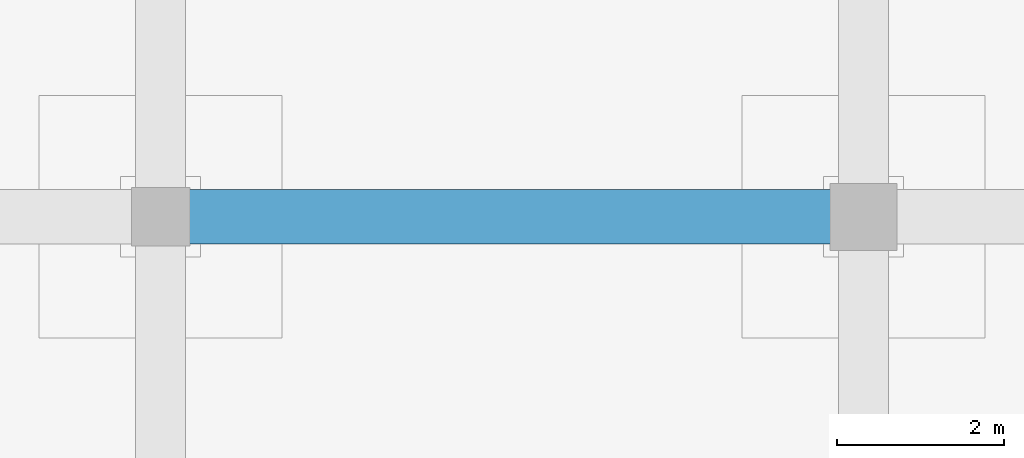
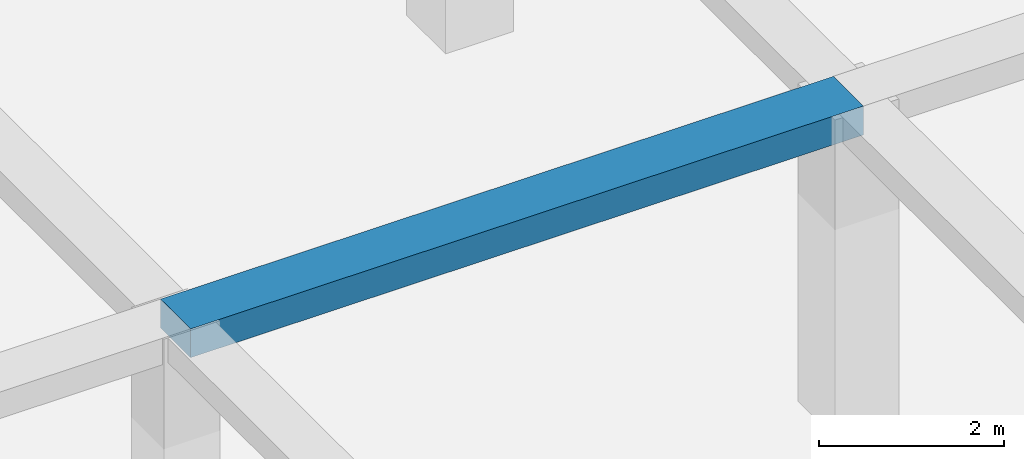
# One storey, part 36 of 85: 1 beam.
"""IFC4 building model written with IfcOpenShell, lengths in metres."""

from ifc_helpers import new_model, si_unit, direction, frame, origin, origin_2d, place, context, subcontext, project, spatial, rectangle, extrude, material, material_profile, profile_set, type_object, element, save


model = new_model("IFC4")

# Units and contexts
model_context = context("Model", 3, precision=1e-05, world=origin(), true_north=direction((0.0, 1.0)))
body_context = subcontext(model_context, "Body", "Model", "MODEL_VIEW")
ifc_project = project(units=[si_unit("LENGTHUNIT", "METRE"), si_unit("AREAUNIT", "SQUARE_METRE"), si_unit("VOLUMEUNIT", "CUBIC_METRE"), si_unit("PLANEANGLEUNIT", "RADIAN"), si_unit("MASSUNIT", "GRAM", prefix="KILO")], contexts=[model_context])

# Site, building, storey
site_placement = place(None, origin())
site = spatial("IfcSite", under=ifc_project, at=site_placement, CompositionType="ELEMENT")
building_placement = place(site_placement, origin())
building = spatial("IfcBuilding", under=site, at=building_placement, Name="Almacenes y Pasaje Nevantli", CompositionType="ELEMENT")
storey_placement = place(building_placement, frame((0.0, 0.0, 22.199951171875)))
storey = spatial("IfcBuildingStorey", under=building, at=storey_placement, Name="L05", CompositionType="ELEMENT", Elevation=22.199951171875)

# Beam
ifc_material = material(Name="Concrete C35/45", Category="concrete")
ifc_material_profile = material_profile(ifc_material, rectangle(XDim=0.64990234375, YDim=0.3798828125, at=origin_2d()), Name="RC-BM-650x380")
ifc_profile_set = profile_set([ifc_material_profile], Name="Concrete C35/45")
beam_type = type_object("IfcBeamType", Name="BM-RC-650x380", PredefinedType="BEAM", material=ifc_profile_set)
beam_placement = place(storey_placement, frame((100.800048828125, 84.0, 4.030029296875), z_axis=(1.0, 0.0, 0.0), x_axis=(0.0, 1.0, 0.0)))
element("IfcBeam", 1, at=beam_placement, inside=storey, type_object=beam_type, Name="L05 East-West Reinforced Concrete Beam #3346", PredefinedType="BEAM", context=body_context, shape_type="SweptSolid", body=[
    extrude(rectangle(XDim=0.64990234375, YDim=0.3798828125, at=origin_2d()), origin(), (0.0, 0.0, 1.0), 8.39990234375),
])

save(model, "model.ifc")
